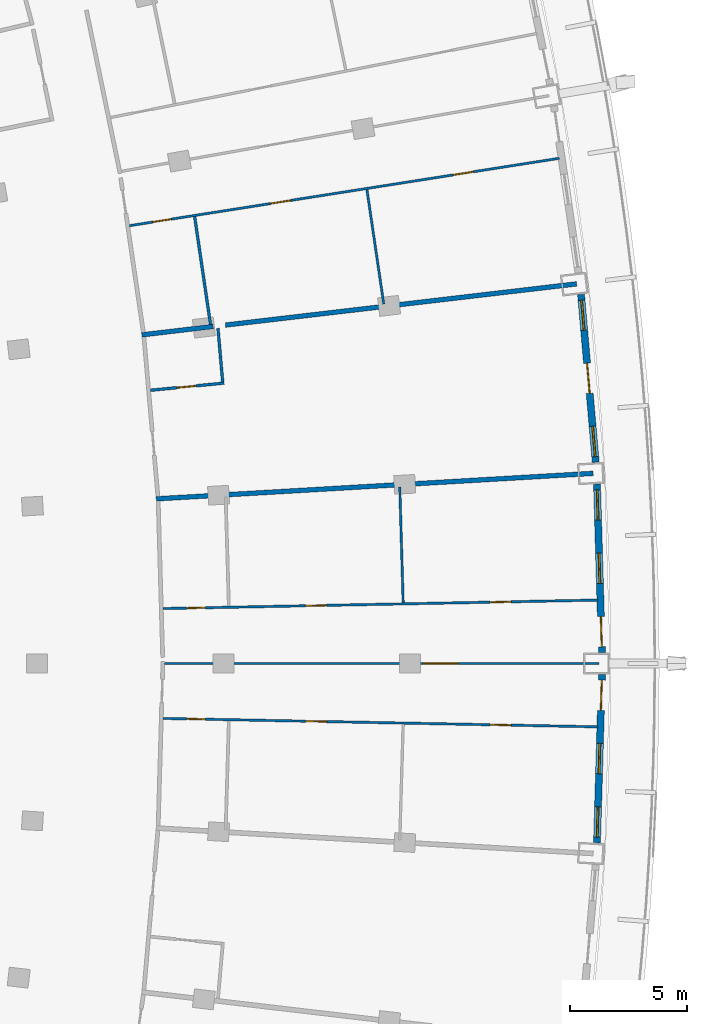
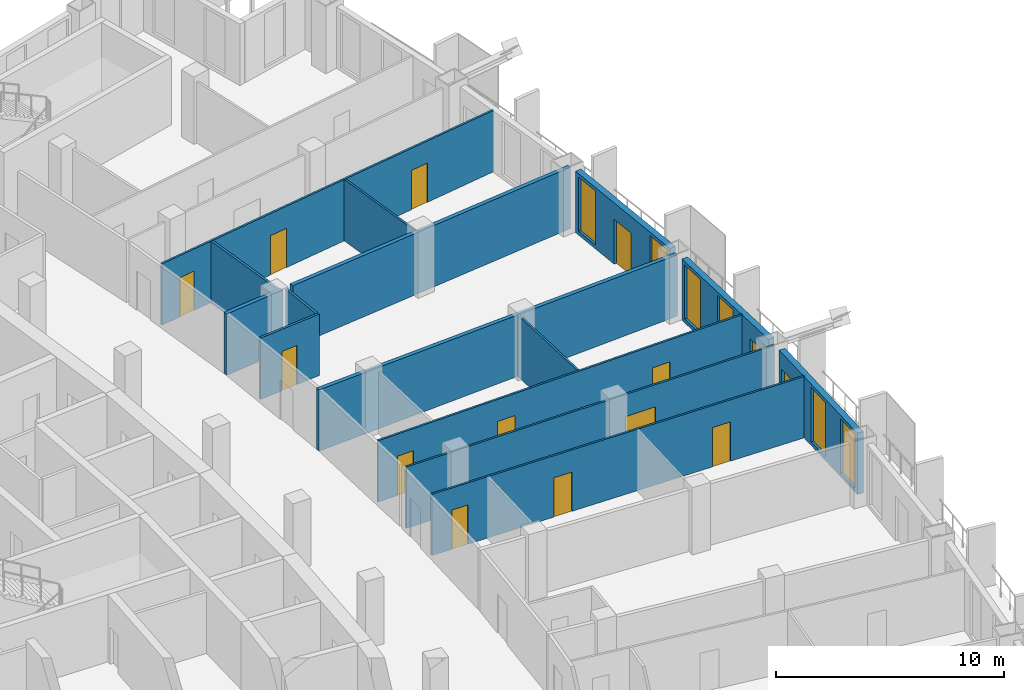
# One storey, part 15 of 22: 15 walls, 14 doors, 6 windows, 20 openings.
"""IFC4 building model written with IfcOpenShell, lengths in metres."""

import ifcopenshell
import ifcopenshell.guid

model = None  # the IFC model being written
_history = None  # IfcOwnerHistory: only IFC2X3 demands one
_inside = {}  # id of a spatial element -> (the spatial element, [elements in it])
_under = {}  # id of a project, library or spatial element -> (it, [spatial elements below it])
_declared = {}  # id of a project -> (the project, [libraries it declares])
_typed = {}  # id of a type object -> (the type object, [elements of that type])
_made_of = {}  # id of a material, layer set ... -> (it, [elements and type objects made of it])


def new_model(schema):
    """Start an empty IFC model of exactly this schema.

    Asked for "IFC4X3", IfcOpenShell would pick the latest addendum, in which some entities
    have other attributes; the version numbers below select the first issue.
    IFC2X3 requires an IfcOwnerHistory on every rooted entity: one is made here for all.
    """
    global model, _history
    if schema == "IFC4X3":
        model = ifcopenshell.file(schema_version=(4, 3, 0, 0))
    else:
        model = ifcopenshell.file(schema=schema)
    _inside.clear()
    _under.clear()
    _declared.clear()
    _typed.clear()
    _made_of.clear()
    _history = None
    if model.schema == "IFC2X3":
        org = make("IfcOrganization", Name="unknown")
        user = make(
            "IfcPersonAndOrganization",
            ThePerson=make("IfcPerson", FamilyName="unknown"),
            TheOrganization=org,
        )
        app = make(
            "IfcApplication",
            ApplicationDeveloper=org,
            Version="unknown",
            ApplicationFullName="unknown",
            ApplicationIdentifier="unknown",
        )
        _history = make(
            "IfcOwnerHistory",
            OwningUser=user,
            OwningApplication=app,
            ChangeAction="ADDED",
            CreationDate=0,
        )
    return model


def make(cls, **values):
    """One entity of the class cls with the attributes given. An attribute that is None is left unset."""
    return model.create_entity(
        cls, **{name: value for name, value in values.items() if value is not None}
    )


def rooted(cls, **values):
    """An entity with a GlobalId (a new one), such as an element, a storey or a relation."""
    return make(cls, GlobalId=ifcopenshell.guid.new(), OwnerHistory=_history, **values)


def si_unit(unit_type, name, prefix=None):
    """IfcSIUnit, for example si_unit("LENGTHUNIT", "METRE", prefix="MILLI")."""
    return make("IfcSIUnit", UnitType=unit_type, Prefix=prefix, Name=name)


def assignment(units):
    """IfcUnitAssignment: the units of a project."""
    return None if units is None else make("IfcUnitAssignment", Units=units)


def point(xyz):
    """IfcCartesianPoint."""
    return None if xyz is None else make("IfcCartesianPoint", Coordinates=xyz)


def direction(xyz):
    """IfcDirection."""
    return None if xyz is None else make("IfcDirection", DirectionRatios=xyz)


def frame(location, z_axis=None, x_axis=None):
    """IfcAxis2Placement3D, a coordinate frame: its origin and axes. An axis left out is left unset."""
    return make(
        "IfcAxis2Placement3D",
        Location=point(location),
        Axis=direction(z_axis),
        RefDirection=direction(x_axis),
    )


def frame_2d(location, x_axis=None):
    """IfcAxis2Placement2D, a coordinate frame in the plane: its origin and x axis."""
    return make(
        "IfcAxis2Placement2D", Location=point(location), RefDirection=direction(x_axis)
    )


def origin():
    """The frame at (0, 0, 0) with its axes left unset."""
    return frame((0.0, 0.0, 0.0))


def place(relative_to, where):
    """IfcLocalPlacement: puts the frame where relative to a parent placement (None: the world)."""
    return make(
        "IfcLocalPlacement", PlacementRelTo=relative_to, RelativePlacement=where
    )


def context(
    kind, dimensions, precision=None, world=None, true_north=None, identifier=None
):
    """IfcGeometricRepresentationContext, for example the 3D "Model" context."""
    return make(
        "IfcGeometricRepresentationContext",
        ContextIdentifier=identifier,
        ContextType=kind,
        CoordinateSpaceDimension=dimensions,
        Precision=precision,
        WorldCoordinateSystem=world,
        TrueNorth=true_north,
    )


def subcontext(parent, identifier, kind, view, scale=None):
    """IfcGeometricRepresentationSubContext, for example "Body" below "Model"."""
    return make(
        "IfcGeometricRepresentationSubContext",
        ContextIdentifier=identifier,
        ContextType=kind,
        ParentContext=parent,
        TargetScale=scale,
        TargetView=view,
    )


def project(units=None, contexts=None):
    """IfcProject with its units and contexts."""
    return rooted(
        "IfcProject",
        Name="project",
        RepresentationContexts=contexts,
        UnitsInContext=assignment(units),
    )


def spatial(cls, under=None, at=None, **own):
    """A site, building, storey or space (cls), placed at a placement, below another one or the project."""
    s = rooted(cls, ObjectPlacement=at, **own)
    if under is not None:
        _under.setdefault(under.id(), (under, []))[1].append(s)
    return s


def profile(cls, at=None, kind="AREA", **sizes):
    """A parametric profile (cls). Its sizes go by their IFC names, for example OverallWidth=200.0."""
    return make(cls, ProfileType=kind, Position=at, **sizes)


def rectangle(**sizes):
    """IfcRectangleProfileDef."""
    return profile("IfcRectangleProfileDef", **sizes)


def extrude(swept, where, along, depth):
    """IfcExtrudedAreaSolid: the profile swept, set in the frame where, extruded along a direction by depth."""
    return make(
        "IfcExtrudedAreaSolid",
        SweptArea=swept,
        Position=where,
        ExtrudedDirection=direction(along),
        Depth=depth,
    )


def shape(context_of_items, identifier, shape_type, items):
    """IfcShapeRepresentation: the items that make up one representation, for example the "Body"."""
    return make(
        "IfcShapeRepresentation",
        ContextOfItems=context_of_items,
        RepresentationIdentifier=identifier,
        RepresentationType=shape_type,
        Items=items,
    )


def material(Name=None, Category=None):
    """IfcMaterial."""
    return make("IfcMaterial", Name=Name, Category=Category)


def layer(
    of_material, thickness, ventilated=None, Name=None, Category=None, Priority=None
):
    """IfcMaterialLayer: one layer of a wall or slab, of a material (None: an air gap)."""
    return make(
        "IfcMaterialLayer",
        Material=of_material,
        LayerThickness=thickness,
        IsVentilated=ventilated,
        Name=Name,
        Category=Category,
        Priority=Priority,
    )


def layer_set(layers, Name=None):
    """IfcMaterialLayerSet."""
    return make("IfcMaterialLayerSet", MaterialLayers=layers, LayerSetName=Name)


def made_of(thing, what):
    """Note that an element or type object is made of a material, layer set ...; save() writes the relation."""
    if what is not None:
        _made_of.setdefault(what.id(), (what, []))[1].append(thing)
    return thing


def type_object(cls, material=None, **own):
    """A type object (cls), such as IfcWallType, which elements share."""
    return made_of(rooted(cls, **own), material)


def element(
    cls,
    number,
    at=None,
    inside=None,
    cuts=None,
    type_object=None,
    material=None,
    context=None,
    identifier="Body",
    shape_type=None,
    held_by="IfcProductDefinitionShape",
    body=None,
    shapes=None,
    **own,
):
    """One element of the class cls, such as IfcWall. Its Tag is "e" and its number.

    at: its placement. inside: the storey or other place that contains it. cuts: it is an
    opening in that element (IfcRelVoidsElement). A single representation is given by context,
    identifier, shape_type and body (its items); several are given by shapes. held_by: the class
    of the entity that holds the representations. save() writes the other relations.
    """
    e = rooted(cls, Tag="e%d" % number, ObjectPlacement=at, **own)
    if body is not None:
        shapes = [shape(context, identifier, shape_type, body)]
    if shapes is not None:
        e.Representation = make(held_by, Representations=shapes)
    if inside is not None:
        _inside.setdefault(inside.id(), (inside, []))[1].append(e)
    if cuts is not None:
        rooted(
            "IfcRelVoidsElement", RelatingBuildingElement=cuts, RelatedOpeningElement=e
        )
    if type_object is not None:
        _typed.setdefault(type_object.id(), (type_object, []))[1].append(e)
    return made_of(e, material)


def fill(opening, filler):
    """IfcRelFillsElement: the door or window that sits in an opening."""
    return rooted(
        "IfcRelFillsElement",
        RelatingOpeningElement=opening,
        RelatedBuildingElement=filler,
    )


def aggregate(whole, parts):
    """IfcRelAggregates: a whole, such as a stair, and the parts it consists of."""
    return rooted("IfcRelAggregates", RelatingObject=whole, RelatedObjects=parts)


def save(model, path):
    """Write the relations noted so far, then the file.

    IfcRelAggregates (storeys below a building ...), IfcRelContainedInSpatialStructure (elements
    in a storey), IfcRelDefinesByType, IfcRelAssociatesMaterial and IfcRelDeclares: one each for
    every whole, place, type object, material and project.
    """
    for whole, parts in _under.values():
        aggregate(whole, parts)
    for where, things in _inside.values():
        rooted(
            "IfcRelContainedInSpatialStructure",
            RelatedElements=things,
            RelatingStructure=where,
        )
    for kind, things in _typed.values():
        rooted("IfcRelDefinesByType", RelatedObjects=things, RelatingType=kind)
    for what, things in _made_of.values():
        rooted("IfcRelAssociatesMaterial", RelatedObjects=things, RelatingMaterial=what)
    for by, libraries in _declared.values():
        rooted("IfcRelDeclares", RelatingContext=by, RelatedDefinitions=libraries)
    model.write(path)


model = new_model("IFC4")

# Units and contexts
model_context = context("Model", 3, precision=1e-05, world=origin(), true_north=direction((0.0, 1.0)))
body_context = subcontext(model_context, "Body", "Model", "MODEL_VIEW")
ifc_project = project(units=[si_unit("LENGTHUNIT", "METRE"), si_unit("AREAUNIT", "SQUARE_METRE"), si_unit("VOLUMEUNIT", "CUBIC_METRE"), si_unit("PLANEANGLEUNIT", "RADIAN"), si_unit("MASSUNIT", "GRAM", prefix="KILO")], contexts=[model_context])

# Site, building, storey
site_placement = place(None, origin())
site = spatial("IfcSite", under=ifc_project, at=site_placement, CompositionType="ELEMENT")
building_placement = place(site_placement, origin())
building = spatial("IfcBuilding", under=site, at=building_placement, Name="Alderwake Tower", CompositionType="ELEMENT")
storey_placement = place(building_placement, frame((0.0, 0.0, 156.800048828125)))
storey = spatial("IfcBuildingStorey", under=building, at=storey_placement, Name="L38", CompositionType="ELEMENT", Elevation=156.800048828125)

# Wall, openings, door, windows
ifc_material_1 = material(Name="Precast concrete C50/60 spandrel panel", Category="concrete")
ifc_layer_1 = layer(ifc_material_1, 0.300048828125)
ifc_layer_set_1 = layer_set([ifc_layer_1], Name="External wall EW1 Precast concrete C50/60 spandrel")
wall_type_1 = type_object("IfcWallType", Name="External wall EW1 Precast concrete C50/60 spandrel", PredefinedType="SOLIDWALL", material=ifc_layer_set_1)
wall_1_placement = place(storey_placement, frame((59.82568359375, 53.30810546875, 0.0), z_axis=(0.0, 0.0, 1.0), x_axis=(0.029139773033, 0.999575346649, 0.0)))
wall_1 = element("IfcWall", 1, at=wall_1_placement, inside=storey, type_object=wall_type_1, Name="External wall 15", PredefinedType="SOLIDWALL", context=body_context, shape_type="SweptSolid", body=[
    extrude(rectangle(XDim=7.22216796875, YDim=0.300048828125, at=frame_2d((3.611083984375, 0.0))), origin(), (0.0, 0.0, 1.0), 3.280029296875),
])
opening_1_placement = place(wall_1_placement, frame((0.2431640625, 0.0, 0.199951171875)))
opening_1 = element("IfcOpeningElement", 2, at=opening_1_placement, cuts=wall_1, Name="Opening W1", PredefinedType="OPENING", context=body_context, shape_type="SweptSolid", body=[
    extrude(rectangle(XDim=1.300048828125, YDim=2.89990234375, at=frame_2d((0.64990234375, 1.449951171875))), frame((0.0, 0.159912109375, 0.0), z_axis=(0.0, -1.0, 0.0), x_axis=(1.0, 0.0, 0.0)), (0.0, 0.0, 1.0), 0.320068359375),
])
opening_2_placement = place(wall_1_placement, frame((2.961181640625, 0.0, 0.199951171875)))
opening_2 = element("IfcOpeningElement", 3, at=opening_2_placement, cuts=wall_1, Name="Opening W1", PredefinedType="OPENING", context=body_context, shape_type="SweptSolid", body=[
    extrude(rectangle(XDim=1.300048828125, YDim=2.89990234375, at=frame_2d((0.64990234375, 1.449951171875))), frame((0.0, 0.159912109375, 0.0), z_axis=(0.0, -1.0, 0.0), x_axis=(1.0, 0.0, 0.0)), (0.0, 0.0, 1.0), 0.320068359375),
])
opening_3_placement = place(wall_1_placement, frame((5.678955078125, 0.0, 0.0)))
opening_3 = element("IfcOpeningElement", 4, at=opening_3_placement, cuts=wall_1, Name="Opening D04", PredefinedType="OPENING", context=body_context, shape_type="SweptSolid", body=[
    extrude(rectangle(XDim=1.300048828125, YDim=2.39990234375, at=frame_2d((0.64990234375, 1.199951171875))), frame((0.0, 0.159912109375, 0.0), z_axis=(0.0, -1.0, 0.0), x_axis=(1.0, 0.0, 0.0)), (0.0, 0.0, 1.0), 0.320068359375),
])
ifc_material_2 = material(Name="Bronze tinted glass in aluminium frame", Category="aluminium")
door_type_1 = type_object("IfcDoorType", Name="Balcony door BD sliding", OperationType="SLIDING_TO_LEFT", PredefinedType="DOOR", material=ifc_material_2)
door_1_placement = place(opening_3_placement, origin())
door_1 = element("IfcDoor", 5, at=door_1_placement, inside=storey, type_object=door_type_1, Name="Door D04", OperationType="SLIDING_TO_LEFT", OverallHeight=2.39990234375, OverallWidth=1.300048828125, PredefinedType="DOOR", context=body_context, shape_type="SweptSolid", body=[
    extrude(rectangle(XDim=1.300048828125, YDim=2.39990234375, at=frame_2d((0.64990234375, 1.199951171875))), frame((0.0, 0.02490234375, 0.0), z_axis=(0.0, -1.0, 0.0), x_axis=(1.0, 0.0, 0.0)), (0.0, 0.0, 1.0), 0.050048828125),
])
fill(opening_3, door_1)
ifc_material_3 = material(Name="Bronze tinted glass in aluminium frame", Category="aluminium")
window_type = type_object("IfcWindowType", Name="Window W1 tall fixed and vent", PartitioningType="DOUBLE_PANEL_VERTICAL", PredefinedType="WINDOW", material=ifc_material_3)
window_1_placement = place(opening_1_placement, origin())
window_1 = element("IfcWindow", 6, at=window_1_placement, inside=storey, type_object=window_type, Name="Window W1 tall fixed and vent", OverallHeight=2.89990234375, OverallWidth=1.300048828125, PartitioningType="DOUBLE_PANEL_VERTICAL", PredefinedType="WINDOW", context=body_context, shape_type="SweptSolid", body=[
    extrude(rectangle(XDim=1.300048828125, YDim=2.89990234375, at=frame_2d((0.64990234375, 1.449951171875))), frame((0.0, 0.030029296875, 0.0), z_axis=(0.0, -1.0, 0.0), x_axis=(1.0, 0.0, 0.0)), (0.0, 0.0, 1.0), 0.06005859375),
])
fill(opening_1, window_1)
window_2_placement = place(opening_2_placement, origin())
window_2 = element("IfcWindow", 7, at=window_2_placement, inside=storey, type_object=window_type, Name="Window W1 tall fixed and vent", OverallHeight=2.89990234375, OverallWidth=1.300048828125, PartitioningType="DOUBLE_PANEL_VERTICAL", PredefinedType="WINDOW", context=body_context, shape_type="SweptSolid", body=[
    extrude(rectangle(XDim=1.300048828125, YDim=2.89990234375, at=frame_2d((0.64990234375, 1.449951171875))), frame((0.0, 0.030029296875, 0.0), z_axis=(0.0, -1.0, 0.0), x_axis=(1.0, 0.0, 0.0)), (0.0, 0.0, 1.0), 0.06005859375),
])
fill(opening_2, window_2)

wall_2_placement = place(storey_placement, frame((60.0361328125, 61.472900390625, 0.0), z_axis=(0.0, 0.0, 1.0), x_axis=(-0.029139773033, 0.999575346649, 0.0)))
wall_2 = element("IfcWall", 8, at=wall_2_placement, inside=storey, type_object=wall_type_1, Name="External wall 16", PredefinedType="SOLIDWALL", context=body_context, shape_type="SweptSolid", body=[
    extrude(rectangle(XDim=7.22216796875, YDim=0.300048828125, at=frame_2d((3.611083984375, 0.0))), origin(), (0.0, 0.0, 1.0), 3.280029296875),
])
opening_4_placement = place(wall_2_placement, frame((0.2431640625, 0.0, 0.0)))
opening_4 = element("IfcOpeningElement", 9, at=opening_4_placement, cuts=wall_2, Name="Opening D05", PredefinedType="OPENING", context=body_context, shape_type="SweptSolid", body=[
    extrude(rectangle(XDim=1.300048828125, YDim=2.39990234375, at=frame_2d((0.64990234375, 1.199951171875))), frame((0.0, 0.159912109375, 0.0), z_axis=(0.0, -1.0, 0.0), x_axis=(1.0, 0.0, 0.0)), (0.0, 0.0, 1.0), 0.320068359375),
])
opening_5_placement = place(wall_2_placement, frame((2.961181640625, 0.0, 0.199951171875)))
opening_5 = element("IfcOpeningElement", 10, at=opening_5_placement, cuts=wall_2, Name="Opening W1", PredefinedType="OPENING", context=body_context, shape_type="SweptSolid", body=[
    extrude(rectangle(XDim=1.300048828125, YDim=2.89990234375, at=frame_2d((0.64990234375, 1.449951171875))), frame((0.0, 0.159912109375, 0.0), z_axis=(0.0, -1.0, 0.0), x_axis=(1.0, 0.0, 0.0)), (0.0, 0.0, 1.0), 0.320068359375),
])
opening_6_placement = place(wall_2_placement, frame((5.678955078125, 0.0, 0.199951171875)))
opening_6 = element("IfcOpeningElement", 11, at=opening_6_placement, cuts=wall_2, Name="Opening W1", PredefinedType="OPENING", context=body_context, shape_type="SweptSolid", body=[
    extrude(rectangle(XDim=1.300048828125, YDim=2.89990234375, at=frame_2d((0.64990234375, 1.449951171875))), frame((0.0, 0.159912109375, 0.0), z_axis=(0.0, -1.0, 0.0), x_axis=(1.0, 0.0, 0.0)), (0.0, 0.0, 1.0), 0.320068359375),
])
door_2_placement = place(opening_4_placement, origin())
door_2 = element("IfcDoor", 12, at=door_2_placement, inside=storey, type_object=door_type_1, Name="Door D05", OperationType="SLIDING_TO_LEFT", OverallHeight=2.39990234375, OverallWidth=1.300048828125, PredefinedType="DOOR", context=body_context, shape_type="SweptSolid", body=[
    extrude(rectangle(XDim=1.300048828125, YDim=2.39990234375, at=frame_2d((0.64990234375, 1.199951171875))), frame((0.0, 0.02490234375, 0.0), z_axis=(0.0, -1.0, 0.0), x_axis=(1.0, 0.0, 0.0)), (0.0, 0.0, 1.0), 0.050048828125),
])
fill(opening_4, door_2)
window_3_placement = place(opening_5_placement, origin())
window_3 = element("IfcWindow", 13, at=window_3_placement, inside=storey, type_object=window_type, Name="Window W1 tall fixed and vent", OverallHeight=2.89990234375, OverallWidth=1.300048828125, PartitioningType="DOUBLE_PANEL_VERTICAL", PredefinedType="WINDOW", context=body_context, shape_type="SweptSolid", body=[
    extrude(rectangle(XDim=1.300048828125, YDim=2.89990234375, at=frame_2d((0.64990234375, 1.449951171875))), frame((0.0, 0.030029296875, 0.0), z_axis=(0.0, -1.0, 0.0), x_axis=(1.0, 0.0, 0.0)), (0.0, 0.0, 1.0), 0.06005859375),
])
fill(opening_5, window_3)
window_4_placement = place(opening_6_placement, origin())
window_4 = element("IfcWindow", 14, at=window_4_placement, inside=storey, type_object=window_type, Name="Window W1 tall fixed and vent", OverallHeight=2.89990234375, OverallWidth=1.300048828125, PartitioningType="DOUBLE_PANEL_VERTICAL", PredefinedType="WINDOW", context=body_context, shape_type="SweptSolid", body=[
    extrude(rectangle(XDim=1.300048828125, YDim=2.89990234375, at=frame_2d((0.64990234375, 1.449951171875))), frame((0.0, 0.030029296875, 0.0), z_axis=(0.0, -1.0, 0.0), x_axis=(1.0, 0.0, 0.0)), (0.0, 0.0, 1.0), 0.06005859375),
])
fill(opening_6, window_4)

wall_3_placement = place(storey_placement, frame((59.7705078125, 69.63623046875, 0.0), z_axis=(0.0, 0.0, 1.0), x_axis=(-0.087383747715, 0.996174723949, 0.0)))
wall_3 = element("IfcWall", 15, at=wall_3_placement, inside=storey, type_object=wall_type_1, Name="External wall 17", PredefinedType="SOLIDWALL", context=body_context, shape_type="SweptSolid", body=[
    extrude(rectangle(XDim=7.22216796875, YDim=0.300048828125, at=frame_2d((3.611083984375, 0.0))), origin(), (0.0, 0.0, 1.0), 3.280029296875),
])
opening_7_placement = place(wall_3_placement, frame((0.2431640625, 0.0, 0.199951171875)))
opening_7 = element("IfcOpeningElement", 16, at=opening_7_placement, cuts=wall_3, Name="Opening W1", PredefinedType="OPENING", context=body_context, shape_type="SweptSolid", body=[
    extrude(rectangle(XDim=1.300048828125, YDim=2.89990234375, at=frame_2d((0.64990234375, 1.449951171875))), frame((0.0, 0.159912109375, 0.0), z_axis=(0.0, -1.0, 0.0), x_axis=(1.0, 0.0, 0.0)), (0.0, 0.0, 1.0), 0.320068359375),
])
opening_8_placement = place(wall_3_placement, frame((2.9609375, 0.0, 0.0)))
opening_8 = element("IfcOpeningElement", 17, at=opening_8_placement, cuts=wall_3, Name="Opening D06", PredefinedType="OPENING", context=body_context, shape_type="SweptSolid", body=[
    extrude(rectangle(XDim=1.300048828125, YDim=2.39990234375, at=frame_2d((0.64990234375, 1.199951171875))), frame((0.0, 0.159912109375, 0.0), z_axis=(0.0, -1.0, 0.0), x_axis=(1.0, 0.0, 0.0)), (0.0, 0.0, 1.0), 0.320068359375),
])
opening_9_placement = place(wall_3_placement, frame((5.678955078125, 0.0, 0.199951171875)))
opening_9 = element("IfcOpeningElement", 18, at=opening_9_placement, cuts=wall_3, Name="Opening W1", PredefinedType="OPENING", context=body_context, shape_type="SweptSolid", body=[
    extrude(rectangle(XDim=1.300048828125, YDim=2.89990234375, at=frame_2d((0.64990234375, 1.449951171875))), frame((0.0, 0.159912109375, 0.0), z_axis=(0.0, -1.0, 0.0), x_axis=(1.0, 0.0, 0.0)), (0.0, 0.0, 1.0), 0.320068359375),
])
door_3_placement = place(opening_8_placement, origin())
door_3 = element("IfcDoor", 19, at=door_3_placement, inside=storey, type_object=door_type_1, Name="Door D06", OperationType="SLIDING_TO_LEFT", OverallHeight=2.39990234375, OverallWidth=1.300048828125, PredefinedType="DOOR", context=body_context, shape_type="SweptSolid", body=[
    extrude(rectangle(XDim=1.300048828125, YDim=2.39990234375, at=frame_2d((0.64990234375, 1.199951171875))), frame((0.0, 0.02490234375, 0.0), z_axis=(0.0, -1.0, 0.0), x_axis=(1.0, 0.0, 0.0)), (0.0, 0.0, 1.0), 0.050048828125),
])
fill(opening_8, door_3)
window_5_placement = place(opening_7_placement, origin())
window_5 = element("IfcWindow", 20, at=window_5_placement, inside=storey, type_object=window_type, Name="Window W1 tall fixed and vent", OverallHeight=2.89990234375, OverallWidth=1.300048828125, PartitioningType="DOUBLE_PANEL_VERTICAL", PredefinedType="WINDOW", context=body_context, shape_type="SweptSolid", body=[
    extrude(rectangle(XDim=1.300048828125, YDim=2.89990234375, at=frame_2d((0.64990234375, 1.449951171875))), frame((0.0, 0.030029296875, 0.0), z_axis=(0.0, -1.0, 0.0), x_axis=(1.0, 0.0, 0.0)), (0.0, 0.0, 1.0), 0.06005859375),
])
fill(opening_7, window_5)
window_6_placement = place(opening_9_placement, origin())
window_6 = element("IfcWindow", 21, at=window_6_placement, inside=storey, type_object=window_type, Name="Window W1 tall fixed and vent", OverallHeight=2.89990234375, OverallWidth=1.300048828125, PartitioningType="DOUBLE_PANEL_VERTICAL", PredefinedType="WINDOW", context=body_context, shape_type="SweptSolid", body=[
    extrude(rectangle(XDim=1.300048828125, YDim=2.89990234375, at=frame_2d((0.64990234375, 1.449951171875))), frame((0.0, 0.030029296875, 0.0), z_axis=(0.0, -1.0, 0.0), x_axis=(1.0, 0.0, 0.0)), (0.0, 0.0, 1.0), 0.06005859375),
])
fill(opening_9, window_6)

# Walls
ifc_material_4 = material(Name="Dense block masonry wall", Category="masonry")
ifc_layer_2 = layer(ifc_material_4, 0.199951171875)
ifc_layer_set_2 = layer_set([ifc_layer_2], Name="Party wall 200")
wall_type_2 = type_object("IfcWallType", Name="Party wall 200", PredefinedType="SOLIDWALL", material=ifc_layer_set_2)
wall_4_placement = place(storey_placement, frame((43.356201171875, 75.458740234375, 0.0), z_axis=(0.0, 0.0, 1.0), x_axis=(-0.993140319253, -0.116928637524, 0.0)))
element("IfcWall", 22, at=wall_4_placement, inside=storey, type_object=wall_type_2, Name="WL/L38/W01", PredefinedType="SOLIDWALL", context=body_context, shape_type="SweptSolid", body=[
    extrude(rectangle(XDim=3.079833984375, YDim=0.199951171875, at=frame_2d((1.5400390625, 0.0))), origin(), (0.0, 0.0, 1.0), 3.280029296875),
])
wall_5_placement = place(storey_placement, frame((58.949951171875, 77.285888671875, 0.0), z_axis=(0.0, 0.0, 1.0), x_axis=(-0.993190756865, -0.116499444109, 0.0)))
element("IfcWall", 23, at=wall_5_placement, inside=storey, type_object=wall_type_2, Name="WL/L38/W04", PredefinedType="SOLIDWALL", context=body_context, shape_type="SweptSolid", body=[
    extrude(rectangle(XDim=15.168212890625, YDim=0.199951171875, at=frame_2d((7.583984375, 0.0))), origin(), (0.0, 0.0, 1.0), 3.280029296875),
])
wall_6_placement = place(storey_placement, frame((59.660888671875, 69.156005859375, 0.0), z_axis=(0.0, 0.0, 1.0), x_axis=(-0.998302191282, -0.058247187749, 0.0)))
element("IfcWall", 24, at=wall_6_placement, inside=storey, type_object=wall_type_2, Name="WL/L38/W06", PredefinedType="SOLIDWALL", context=body_context, shape_type="SweptSolid", body=[
    extrude(rectangle(XDim=18.77783203125, YDim=0.199951171875, at=frame_2d((9.388916015625, 0.0))), origin(), (0.0, 0.0, 1.0), 3.280029296875),
])

# Wall, openings, doors
ifc_material_5 = material(Name="Gypsum board on metal studs")
ifc_layer_3 = layer(ifc_material_5, 0.10009765625)
ifc_layer_set_3 = layer_set([ifc_layer_3], Name="Unit partition 100")
wall_type_3 = type_object("IfcWallType", Name="Unit partition 100", PredefinedType="PARTITIONING", material=ifc_layer_set_3)
wall_7_placement = place(storey_placement, frame((58.2060546875, 82.674072265625, 0.0), z_axis=(0.0, 0.0, 1.0), x_axis=(-0.987923453113, -0.1549427339, 0.0)))
wall_7 = element("IfcWall", 25, at=wall_7_placement, inside=storey, type_object=wall_type_3, Name="WL/L38/W44", PredefinedType="PARTITIONING", context=body_context, shape_type="SweptSolid", body=[
    extrude(rectangle(XDim=18.662353515625, YDim=0.10009765625, at=frame_2d((9.3310546875, 0.0))), origin(), (0.0, 0.0, 1.0), 3.280029296875),
])
opening_10_placement = place(wall_7_placement, frame((11.651123046875, 0.0, 0.0)))
opening_10 = element("IfcOpeningElement", 26, at=opening_10_placement, cuts=wall_7, Name="Opening R10-U07.1", PredefinedType="OPENING", context=body_context, shape_type="SweptSolid", body=[
    extrude(rectangle(XDim=0.89990234375, YDim=2.10009765625, at=frame_2d((0.449951171875, 1.050048828125))), frame((0.0, 0.06005859375, 0.0), z_axis=(0.0, -1.0, 0.0), x_axis=(1.0, 0.0, 0.0)), (0.0, 0.0, 1.0), 0.1201171875),
])
opening_11_placement = place(wall_7_placement, frame((16.852294921875, 0.0, 0.0)))
opening_11 = element("IfcOpeningElement", 27, at=opening_11_placement, cuts=wall_7, Name="Opening R10-U07.3", PredefinedType="OPENING", context=body_context, shape_type="SweptSolid", body=[
    extrude(rectangle(XDim=0.800048828125, YDim=2.10009765625, at=frame_2d((0.39990234375, 1.050048828125))), frame((0.0, 0.06005859375, 0.0), z_axis=(0.0, -1.0, 0.0), x_axis=(1.0, 0.0, 0.0)), (0.0, 0.0, 1.0), 0.1201171875),
])
opening_12_placement = place(wall_7_placement, frame((3.72998046875, 0.0, 0.0)))
opening_12 = element("IfcOpeningElement", 28, at=opening_12_placement, cuts=wall_7, Name="Opening R10-U07.4", PredefinedType="OPENING", context=body_context, shape_type="SweptSolid", body=[
    extrude(rectangle(XDim=0.89990234375, YDim=2.10009765625, at=frame_2d((0.449951171875, 1.050048828125))), frame((0.0, 0.06005859375, 0.0), z_axis=(0.0, -1.0, 0.0), x_axis=(1.0, 0.0, 0.0)), (0.0, 0.0, 1.0), 0.1201171875),
])
ifc_material_6 = material(Name="Painted timber leaf", Category="wood")
door_type_2 = type_object("IfcDoorType", Name="Bathroom door 800", OperationType="SINGLE_SWING_LEFT", PredefinedType="DOOR", material=ifc_material_6)
door_4_placement = place(opening_11_placement, origin())
door_4 = element("IfcDoor", 29, at=door_4_placement, inside=storey, type_object=door_type_2, Name="DR/L38/U07.3", OperationType="SINGLE_SWING_LEFT", OverallHeight=2.10009765625, OverallWidth=0.800048828125, PredefinedType="DOOR", context=body_context, shape_type="SweptSolid", body=[
    extrude(rectangle(XDim=0.800048828125, YDim=2.10009765625, at=frame_2d((0.39990234375, 1.050048828125))), frame((0.0, 0.02490234375, 0.0), z_axis=(0.0, -1.0, 0.0), x_axis=(1.0, 0.0, 0.0)), (0.0, 0.0, 1.0), 0.050048828125),
])
fill(opening_11, door_4)
ifc_material_7 = material(Name="Painted timber leaf", Category="wood")
door_type_3 = type_object("IfcDoorType", Name="Room door 900", OperationType="SINGLE_SWING_LEFT", PredefinedType="DOOR", material=ifc_material_7)
door_5_placement = place(opening_10_placement, origin())
door_5 = element("IfcDoor", 30, at=door_5_placement, inside=storey, type_object=door_type_3, Name="DR/L38/U07.1", OperationType="SINGLE_SWING_LEFT", OverallHeight=2.10009765625, OverallWidth=0.89990234375, PredefinedType="DOOR", context=body_context, shape_type="SweptSolid", body=[
    extrude(rectangle(XDim=0.89990234375, YDim=2.10009765625, at=frame_2d((0.449951171875, 1.050048828125))), frame((0.0, 0.02490234375, 0.0), z_axis=(0.0, -1.0, 0.0), x_axis=(1.0, 0.0, 0.0)), (0.0, 0.0, 1.0), 0.050048828125),
])
fill(opening_10, door_5)
door_6_placement = place(opening_12_placement, origin())
door_6 = element("IfcDoor", 31, at=door_6_placement, inside=storey, type_object=door_type_3, Name="DR/L38/U07.4", OperationType="SINGLE_SWING_LEFT", OverallHeight=2.10009765625, OverallWidth=0.89990234375, PredefinedType="DOOR", context=body_context, shape_type="SweptSolid", body=[
    extrude(rectangle(XDim=0.89990234375, YDim=2.10009765625, at=frame_2d((0.449951171875, 1.050048828125))), frame((0.0, 0.02490234375, 0.0), z_axis=(0.0, -1.0, 0.0), x_axis=(1.0, 0.0, 0.0)), (0.0, 0.0, 1.0), 0.050048828125),
])
fill(opening_12, door_6)

wall_8_placement = place(storey_placement, frame((59.87109375, 58.281005859375, 0.0), z_axis=(0.0, 0.0, 1.0), x_axis=(-0.999812344215, 0.019372050889, 0.0)))
wall_8 = element("IfcWall", 32, at=wall_8_placement, inside=storey, type_object=wall_type_3, Name="WL/L38/W46", PredefinedType="PARTITIONING", context=body_context, shape_type="SweptSolid", body=[
    extrude(rectangle(XDim=18.66455078125, YDim=0.10009765625, at=frame_2d((9.332275390625, 0.0))), origin(), (0.0, 0.0, 1.0), 3.280029296875),
])
opening_13_placement = place(wall_8_placement, frame((11.6533203125, 0.0, 0.0)))
opening_13 = element("IfcOpeningElement", 33, at=opening_13_placement, cuts=wall_8, Name="Opening R10-U05.1", PredefinedType="OPENING", context=body_context, shape_type="SweptSolid", body=[
    extrude(rectangle(XDim=0.89990234375, YDim=2.10009765625, at=frame_2d((0.449951171875, 1.050048828125))), frame((0.0, 0.06005859375, 0.0), z_axis=(0.0, -1.0, 0.0), x_axis=(1.0, 0.0, 0.0)), (0.0, 0.0, 1.0), 0.1201171875),
])
opening_14_placement = place(wall_8_placement, frame((16.8544921875, 0.0, 0.0)))
opening_14 = element("IfcOpeningElement", 34, at=opening_14_placement, cuts=wall_8, Name="Opening R10-U05.3", PredefinedType="OPENING", context=body_context, shape_type="SweptSolid", body=[
    extrude(rectangle(XDim=0.800048828125, YDim=2.10009765625, at=frame_2d((0.39990234375, 1.050048828125))), frame((0.0, 0.06005859375, 0.0), z_axis=(0.0, -1.0, 0.0), x_axis=(1.0, 0.0, 0.0)), (0.0, 0.0, 1.0), 0.1201171875),
])
opening_15_placement = place(wall_8_placement, frame((3.7314453125, 0.0, 0.0)))
opening_15 = element("IfcOpeningElement", 35, at=opening_15_placement, cuts=wall_8, Name="Opening R10-U05.4", PredefinedType="OPENING", context=body_context, shape_type="SweptSolid", body=[
    extrude(rectangle(XDim=0.89990234375, YDim=2.10009765625, at=frame_2d((0.449951171875, 1.050048828125))), frame((0.0, 0.06005859375, 0.0), z_axis=(0.0, -1.0, 0.0), x_axis=(1.0, 0.0, 0.0)), (0.0, 0.0, 1.0), 0.1201171875),
])
door_7_placement = place(opening_14_placement, origin())
door_7 = element("IfcDoor", 36, at=door_7_placement, inside=storey, type_object=door_type_2, Name="DR/L38/U05.3", OperationType="SINGLE_SWING_LEFT", OverallHeight=2.10009765625, OverallWidth=0.800048828125, PredefinedType="DOOR", context=body_context, shape_type="SweptSolid", body=[
    extrude(rectangle(XDim=0.800048828125, YDim=2.10009765625, at=frame_2d((0.39990234375, 1.050048828125))), frame((0.0, 0.02490234375, 0.0), z_axis=(0.0, -1.0, 0.0), x_axis=(1.0, 0.0, 0.0)), (0.0, 0.0, 1.0), 0.050048828125),
])
fill(opening_14, door_7)
door_8_placement = place(opening_13_placement, origin())
door_8 = element("IfcDoor", 37, at=door_8_placement, inside=storey, type_object=door_type_3, Name="DR/L38/U05.1", OperationType="SINGLE_SWING_LEFT", OverallHeight=2.10009765625, OverallWidth=0.89990234375, PredefinedType="DOOR", context=body_context, shape_type="SweptSolid", body=[
    extrude(rectangle(XDim=0.89990234375, YDim=2.10009765625, at=frame_2d((0.449951171875, 1.050048828125))), frame((0.0, 0.02490234375, 0.0), z_axis=(0.0, -1.0, 0.0), x_axis=(1.0, 0.0, 0.0)), (0.0, 0.0, 1.0), 0.050048828125),
])
fill(opening_13, door_8)
door_9_placement = place(opening_15_placement, origin())
door_9 = element("IfcDoor", 38, at=door_9_placement, inside=storey, type_object=door_type_3, Name="DR/L38/U05.4", OperationType="SINGLE_SWING_LEFT", OverallHeight=2.10009765625, OverallWidth=0.89990234375, PredefinedType="DOOR", context=body_context, shape_type="SweptSolid", body=[
    extrude(rectangle(XDim=0.89990234375, YDim=2.10009765625, at=frame_2d((0.449951171875, 1.050048828125))), frame((0.0, 0.02490234375, 0.0), z_axis=(0.0, -1.0, 0.0), x_axis=(1.0, 0.0, 0.0)), (0.0, 0.0, 1.0), 0.050048828125),
])
fill(opening_15, door_9)

wall_9_placement = place(storey_placement, frame((41.2099609375, 63.355712890625, 0.0), z_axis=(0.0, 0.0, 1.0), x_axis=(0.999809547067, 0.01951588053, 0.0)))
wall_9 = element("IfcWall", 39, at=wall_9_placement, inside=storey, type_object=wall_type_3, Name="WL/L38/W47", PredefinedType="PARTITIONING", context=body_context, shape_type="SweptSolid", body=[
    extrude(rectangle(XDim=18.664794921875, YDim=0.10009765625, at=frame_2d((9.33251953125, 0.0))), origin(), (0.0, 0.0, 1.0), 3.280029296875),
])
opening_16_placement = place(wall_9_placement, frame((6.111083984375, 0.0, 0.0)))
opening_16 = element("IfcOpeningElement", 40, at=opening_16_placement, cuts=wall_9, Name="Opening R10-U05.5", PredefinedType="OPENING", context=body_context, shape_type="SweptSolid", body=[
    extrude(rectangle(XDim=0.89990234375, YDim=2.10009765625, at=frame_2d((0.449951171875, 1.050048828125))), frame((0.0, 0.06005859375, 0.0), z_axis=(0.0, -1.0, 0.0), x_axis=(1.0, 0.0, 0.0)), (0.0, 0.0, 1.0), 0.1201171875),
])
opening_17_placement = place(wall_9_placement, frame((1.010009765625, 0.0, 0.0)))
opening_17 = element("IfcOpeningElement", 41, at=opening_17_placement, cuts=wall_9, Name="Opening R10-U05.6", PredefinedType="OPENING", context=body_context, shape_type="SweptSolid", body=[
    extrude(rectangle(XDim=0.800048828125, YDim=2.10009765625, at=frame_2d((0.39990234375, 1.050048828125))), frame((0.0, 0.06005859375, 0.0), z_axis=(0.0, -1.0, 0.0), x_axis=(1.0, 0.0, 0.0)), (0.0, 0.0, 1.0), 0.1201171875),
])
opening_18_placement = place(wall_9_placement, frame((14.032958984375, 0.0, 0.0)))
opening_18 = element("IfcOpeningElement", 42, at=opening_18_placement, cuts=wall_9, Name="Opening R10-U05.7", PredefinedType="OPENING", context=body_context, shape_type="SweptSolid", body=[
    extrude(rectangle(XDim=0.89990234375, YDim=2.10009765625, at=frame_2d((0.449951171875, 1.050048828125))), frame((0.0, 0.06005859375, 0.0), z_axis=(0.0, -1.0, 0.0), x_axis=(1.0, 0.0, 0.0)), (0.0, 0.0, 1.0), 0.1201171875),
])
door_10_placement = place(opening_17_placement, origin())
door_10 = element("IfcDoor", 43, at=door_10_placement, inside=storey, type_object=door_type_2, Name="DR/L38/U05.6", OperationType="SINGLE_SWING_LEFT", OverallHeight=2.10009765625, OverallWidth=0.800048828125, PredefinedType="DOOR", context=body_context, shape_type="SweptSolid", body=[
    extrude(rectangle(XDim=0.800048828125, YDim=2.10009765625, at=frame_2d((0.39990234375, 1.050048828125))), frame((0.0, 0.02490234375, 0.0), z_axis=(0.0, -1.0, 0.0), x_axis=(1.0, 0.0, 0.0)), (0.0, 0.0, 1.0), 0.050048828125),
])
fill(opening_17, door_10)
door_11_placement = place(opening_16_placement, origin())
door_11 = element("IfcDoor", 44, at=door_11_placement, inside=storey, type_object=door_type_3, Name="DR/L38/U05.5", OperationType="SINGLE_SWING_LEFT", OverallHeight=2.10009765625, OverallWidth=0.89990234375, PredefinedType="DOOR", context=body_context, shape_type="SweptSolid", body=[
    extrude(rectangle(XDim=0.89990234375, YDim=2.10009765625, at=frame_2d((0.449951171875, 1.050048828125))), frame((0.0, 0.02490234375, 0.0), z_axis=(0.0, -1.0, 0.0), x_axis=(1.0, 0.0, 0.0)), (0.0, 0.0, 1.0), 0.050048828125),
])
fill(opening_16, door_11)
door_12_placement = place(opening_18_placement, origin())
door_12 = element("IfcDoor", 45, at=door_12_placement, inside=storey, type_object=door_type_3, Name="DR/L38/U05.7", OperationType="SINGLE_SWING_LEFT", OverallHeight=2.10009765625, OverallWidth=0.89990234375, PredefinedType="DOOR", context=body_context, shape_type="SweptSolid", body=[
    extrude(rectangle(XDim=0.89990234375, YDim=2.10009765625, at=frame_2d((0.449951171875, 1.050048828125))), frame((0.0, 0.02490234375, 0.0), z_axis=(0.0, -1.0, 0.0), x_axis=(1.0, 0.0, 0.0)), (0.0, 0.0, 1.0), 0.050048828125),
])
fill(opening_18, door_12)

# Walls
wall_10_placement = place(storey_placement, frame((50.676513671875, 76.416015625, 0.0), z_axis=(0.0, 0.0, 1.0), x_axis=(-0.145440200606, 0.989367044149, 0.0)))
element("IfcWall", 46, at=wall_10_placement, inside=storey, type_object=wall_type_3, Name="WL/L38/W50", PredefinedType="PARTITIONING", context=body_context, shape_type="SweptSolid", body=[
    extrude(rectangle(XDim=4.96533203125, YDim=0.10009765625, at=frame_2d((2.482666015625, 0.0))), origin(), (0.0, 0.0, 1.0), 3.280029296875),
])
wall_11_placement = place(storey_placement, frame((51.508544921875, 63.60791015625, 0.0), z_axis=(0.0, 0.0, 1.0), x_axis=(-0.029360031199, 0.999568901361, 0.0)))
element("IfcWall", 47, at=wall_11_placement, inside=storey, type_object=wall_type_3, Name="WL/L38/W52", PredefinedType="PARTITIONING", context=body_context, shape_type="SweptSolid", body=[
    extrude(rectangle(XDim=4.96435546875, YDim=0.10009765625, at=frame_2d((2.482177734375, 0.0))), origin(), (0.0, 0.0, 1.0), 3.280029296875),
])

# Wall, opening, door
wall_12_placement = place(storey_placement, frame((41.279052734375, 60.9990234375, 0.0), z_axis=(0.0, 0.0, 1.0), x_axis=(1.0, 0.0, 0.0)))
wall_12 = element("IfcWall", 48, at=wall_12_placement, inside=storey, type_object=wall_type_3, Name="WL/L38/W54", PredefinedType="PARTITIONING", context=body_context, shape_type="SweptSolid", body=[
    extrude(rectangle(XDim=18.621826171875, YDim=0.10009765625, at=frame_2d((9.31103515625, 0.0))), origin(), (0.0, 0.0, 1.0), 3.280029296875),
])
opening_19_placement = place(wall_12_placement, frame((11.092529296875, 0.0, 0.0)))
opening_19 = element("IfcOpeningElement", 49, at=opening_19_placement, cuts=wall_12, Name="Opening R10-U05.8", PredefinedType="OPENING", context=body_context, shape_type="SweptSolid", body=[
    extrude(rectangle(XDim=1.5, YDim=2.10009765625, at=frame_2d((0.75, 1.050048828125))), frame((0.0, 0.06005859375, 0.0), z_axis=(0.0, -1.0, 0.0), x_axis=(1.0, 0.0, 0.0)), (0.0, 0.0, 1.0), 0.1201171875),
])
ifc_material_8 = material(Name="Painted timber leaves", Category="wood")
door_type_4 = type_object("IfcDoorType", Name="Double leaf door 1500", OperationType="DOUBLE_DOOR_SINGLE_SWING", PredefinedType="DOOR", material=ifc_material_8)
door_13_placement = place(opening_19_placement, origin())
door_13 = element("IfcDoor", 50, at=door_13_placement, inside=storey, type_object=door_type_4, Name="DR/L38/U05.8", OperationType="DOUBLE_DOOR_SINGLE_SWING", OverallHeight=2.10009765625, OverallWidth=1.5, PredefinedType="DOOR", context=body_context, shape_type="SweptSolid", body=[
    extrude(rectangle(XDim=1.5, YDim=2.10009765625, at=frame_2d((0.75, 1.050048828125))), frame((0.0, 0.02490234375, 0.0), z_axis=(0.0, -1.0, 0.0), x_axis=(1.0, 0.0, 0.0)), (0.0, 0.0, 1.0), 0.050048828125),
])
fill(opening_19, door_13)

ifc_material_9 = material(Name="Moisture resistant gypsum board on metal studs")
ifc_layer_4 = layer(ifc_material_9, 0.1201171875)
ifc_layer_set_4 = layer_set([ifc_layer_4], Name="Wet room partition 120")
wall_type_4 = type_object("IfcWallType", Name="Wet room partition 120", PredefinedType="PARTITIONING", material=ifc_layer_set_4)
wall_13_placement = place(storey_placement, frame((40.66650390625, 72.7216796875, 0.0), z_axis=(0.0, 0.0, 1.0), x_axis=(0.995319074775, 0.096643361845, 0.0)))
wall_13 = element("IfcWall", 51, at=wall_13_placement, inside=storey, type_object=wall_type_4, Name="WL/L38/W34", PredefinedType="PARTITIONING", context=body_context, shape_type="SweptSolid", body=[
    extrude(rectangle(XDim=3.177978515625, YDim=0.1201171875, at=frame_2d((1.5888671875, 0.0))), origin(), (0.0, 0.0, 1.0), 3.280029296875),
])
opening_20_placement = place(wall_13_placement, frame((1.158935546875, 0.0, 0.0)))
opening_20 = element("IfcOpeningElement", 52, at=opening_20_placement, cuts=wall_13, Name="Opening R10-U06.2", PredefinedType="OPENING", context=body_context, shape_type="SweptSolid", body=[
    extrude(rectangle(XDim=0.800048828125, YDim=2.10009765625, at=frame_2d((0.39990234375, 1.050048828125))), frame((0.0, 0.070068359375, 0.0), z_axis=(0.0, -1.0, 0.0), x_axis=(1.0, 0.0, 0.0)), (0.0, 0.0, 1.0), 0.14013671875),
])
door_14_placement = place(opening_20_placement, origin())
door_14 = element("IfcDoor", 53, at=door_14_placement, inside=storey, type_object=door_type_2, Name="DR/L38/U06.2", OperationType="SINGLE_SWING_LEFT", OverallHeight=2.10009765625, OverallWidth=0.800048828125, PredefinedType="DOOR", context=body_context, shape_type="SweptSolid", body=[
    extrude(rectangle(XDim=0.800048828125, YDim=2.10009765625, at=frame_2d((0.39990234375, 1.050048828125))), frame((0.0, 0.02490234375, 0.0), z_axis=(0.0, -1.0, 0.0), x_axis=(1.0, 0.0, 0.0)), (0.0, 0.0, 1.0), 0.050048828125),
])
fill(opening_20, door_14)

# Walls
wall_14_placement = place(storey_placement, frame((43.242431640625, 75.5458984375, 0.0), z_axis=(0.0, 0.0, 1.0), x_axis=(-0.145515042, 0.989356039326, 0.0)))
element("IfcWall", 54, at=wall_14_placement, inside=storey, type_object=wall_type_4, Name="WL/L38/W37", PredefinedType="PARTITIONING", context=body_context, shape_type="SweptSolid", body=[
    extrude(rectangle(XDim=4.67431640625, YDim=0.1201171875, at=frame_2d((2.337158203125, 0.0))), origin(), (0.0, 0.0, 1.0), 3.280029296875),
])
wall_15_placement = place(storey_placement, frame((43.7646484375, 73.082763671875, 0.0), z_axis=(0.0, 0.0, 1.0), x_axis=(-0.087538546065, 0.996161133027, 0.0)))
element("IfcWall", 55, at=wall_15_placement, inside=storey, type_object=wall_type_4, Name="WL/L38/W40", PredefinedType="PARTITIONING", context=body_context, shape_type="SweptSolid", body=[
    extrude(rectangle(XDim=2.306396484375, YDim=0.1201171875, at=frame_2d((1.1533203125, 0.0))), origin(), (0.0, 0.0, 1.0), 3.280029296875),
])

save(model, "model.ifc")
